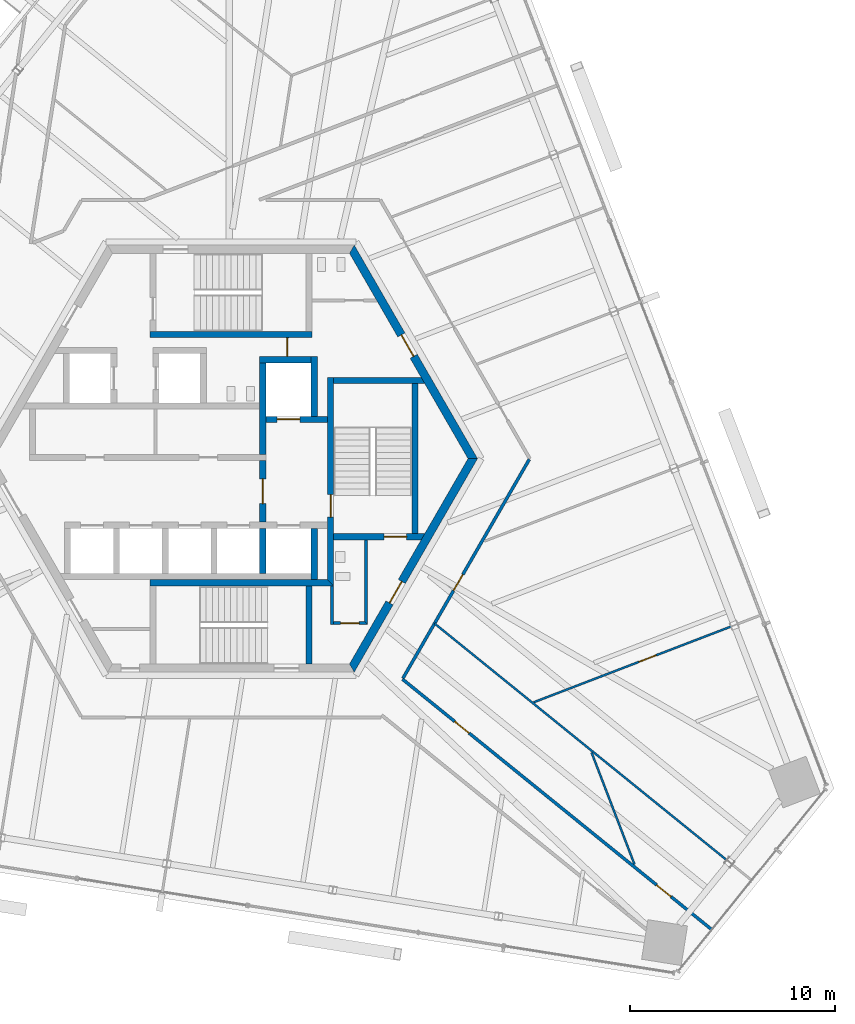
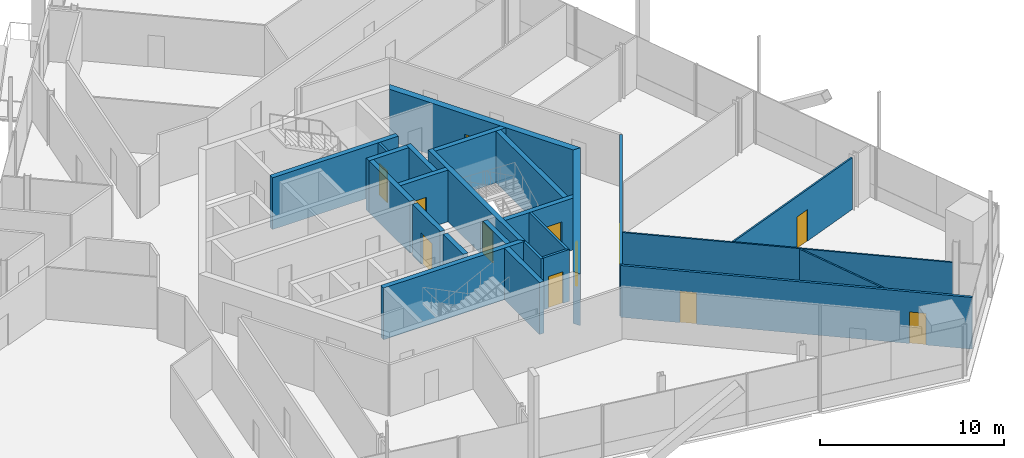
# One storey, part 13 of 21: 25 walls, 12 doors, 12 openings.
"""IFC4 building model written with IfcOpenShell, lengths in metres."""

from ifc_helpers import new_model, si_unit, direction, frame, frame_2d, origin, place, context, subcontext, project, spatial, polyline, rectangle, outline, extrude, source, transform, mapped, material, layer, layer_set, type_object, element, fill, save


model = new_model("IFC4")

# Units and contexts
model_context = context("Model", 3, precision=1e-05, world=origin(), true_north=direction((0.0, 1.0)))
body_context = subcontext(model_context, "Body", "Model", "MODEL_VIEW")
ifc_project = project(units=[si_unit("LENGTHUNIT", "METRE"), si_unit("AREAUNIT", "SQUARE_METRE"), si_unit("VOLUMEUNIT", "CUBIC_METRE"), si_unit("PLANEANGLEUNIT", "RADIAN"), si_unit("MASSUNIT", "GRAM", prefix="KILO")], contexts=[model_context])

# Site, building, storey
site_placement = place(None, origin())
site = spatial("IfcSite", under=ifc_project, at=site_placement, CompositionType="ELEMENT")
building_placement = place(site_placement, origin())
building = spatial("IfcBuilding", under=site, at=building_placement, Name="Triune Harvest Tower", CompositionType="ELEMENT")
storey_placement = place(building_placement, frame((0.0, 0.0, 160.5)))
storey = spatial("IfcBuildingStorey", under=building, at=storey_placement, Name="L41", CompositionType="ELEMENT", Elevation=160.5)

# Wall, opening, door
ifc_material_1 = material(Name="Concrete 70 MPa", Category="concrete")
ifc_layer_1 = layer(ifc_material_1, 0.39990234375)
ifc_layer_set_1 = layer_set([ifc_layer_1], Name="Concrete 70 MPa")
wall_type_1 = type_object("IfcWallType", Name="Core wall 400", PredefinedType="SHEAR", material=ifc_layer_set_1)
shared_shape_1 = source(origin(), body_context, "Body", "SweptSolid", [
    extrude(outline(polyline([(-0.115478515625, -0.199951171875), (11.884521484375, -0.199951171875), (11.653564453125, 0.199951171875), (0.115478515625, 0.199951171875), (-0.115478515625, -0.199951171875)])), origin(), (0.0, 0.0, 1.0), 3.43994140625),
])
wall_1_placement = place(storey_placement, frame((11.76904296875, 0.0, 0.0), z_axis=(0.0, 0.0, 1.0), x_axis=(-0.499996592174, 0.866027371285, 0.0)))
wall_1 = element("IfcWall", 1, at=wall_1_placement, inside=storey, type_object=wall_type_1, Name="Hexagon 0 wall", PredefinedType="SHEAR", context=body_context, shape_type="MappedRepresentation", body=[
    mapped(shared_shape_1, transform((0.0, 0.0, 0.0), scale=1.0)),
])
opening_1_placement = place(wall_1_placement, frame((5.75048828125, 0.0, 0.0)))
opening_1 = element("IfcOpeningElement", 2, at=opening_1_placement, cuts=wall_1, Name="Opening CD-WCP", PredefinedType="OPENING", context=body_context, shape_type="SweptSolid", body=[
    extrude(rectangle(XDim=1.199951171875, YDim=2.10009765625, at=frame_2d((0.60009765625, 1.050048828125))), frame((0.0, 0.2099609375, 0.0), z_axis=(0.0, -1.0, 0.0), x_axis=(1.0, 0.0, 0.0)), (0.0, 0.0, 1.0), 0.419921875),
])
ifc_material_2 = material(Name="Steel S235", Category="steel")
door_type_1 = type_object("IfcDoorType", Name="Lobby door 1200 FD120", OperationType="SINGLE_SWING_LEFT", PredefinedType="DOOR", material=ifc_material_2)
door_1_placement = place(opening_1_placement, frame((1.199951171875, 0.0, 0.0), z_axis=(0.0, 0.0, 1.0), x_axis=(-1.0, 0.0, 0.0)))
door_1 = element("IfcDoor", 3, at=door_1_placement, inside=storey, type_object=door_type_1, Name="Door CD-WCP", OperationType="SINGLE_SWING_RIGHT", OverallHeight=2.10009765625, OverallWidth=1.199951171875, PredefinedType="DOOR", context=body_context, shape_type="SweptSolid", body=[
    extrude(rectangle(XDim=1.199951171875, YDim=2.10009765625, at=frame_2d((0.60009765625, 1.050048828125))), frame((0.0, 0.02490234375, 0.0), z_axis=(0.0, -1.0, 0.0), x_axis=(1.0, 0.0, 0.0)), (0.0, 0.0, 1.0), 0.050048828125),
])
fill(opening_1, door_1)

wall_2_placement = place(storey_placement, frame((5.884521484375, -10.1923828125, 0.0), z_axis=(0.0, 0.0, 1.0), x_axis=(0.499996592174, 0.866027371285, 0.0)))
wall_2 = element("IfcWall", 4, at=wall_2_placement, inside=storey, type_object=wall_type_1, Name="Hexagon 5 wall", PredefinedType="SHEAR", context=body_context, shape_type="MappedRepresentation", body=[
    mapped(shared_shape_1, transform((0.0, 0.0, 0.0), scale=1.0)),
])
opening_2_placement = place(wall_2_placement, frame((3.66455078125, 0.0, 0.0)))
opening_2 = element("IfcOpeningElement", 5, at=opening_2_placement, cuts=wall_2, Name="Opening CD-DP", PredefinedType="OPENING", context=body_context, shape_type="SweptSolid", body=[
    extrude(rectangle(XDim=1.199951171875, YDim=2.10009765625, at=frame_2d((0.60009765625, 1.050048828125))), frame((0.0, 0.2099609375, 0.0), z_axis=(0.0, -1.0, 0.0), x_axis=(1.0, 0.0, 0.0)), (0.0, 0.0, 1.0), 0.419921875),
])
ifc_material_3 = material(Name="Steel S235", Category="steel")
door_type_2 = type_object("IfcDoorType", Name="Stair door 1200 FD120", OperationType="SINGLE_SWING_LEFT", PredefinedType="DOOR", material=ifc_material_3)
door_2_placement = place(opening_2_placement, frame((1.199951171875, 0.0, 0.0), z_axis=(0.0, 0.0, 1.0), x_axis=(-1.0, 0.0, 0.0)))
door_2 = element("IfcDoor", 6, at=door_2_placement, inside=storey, type_object=door_type_2, Name="Door CD-DP", OperationType="SINGLE_SWING_RIGHT", OverallHeight=2.10009765625, OverallWidth=1.199951171875, PredefinedType="DOOR", context=body_context, shape_type="SweptSolid", body=[
    extrude(rectangle(XDim=1.199951171875, YDim=2.10009765625, at=frame_2d((0.60009765625, 1.050048828125))), frame((0.0, 0.02490234375, 0.0), z_axis=(0.0, -1.0, 0.0), x_axis=(1.0, 0.0, 0.0)), (0.0, 0.0, 1.0), 0.050048828125),
])
fill(opening_2, door_2)

# Walls
ifc_material_4 = material(Name="Concrete 70 MPa", Category="concrete")
ifc_layer_2 = layer(ifc_material_4, 0.300048828125)
ifc_layer_set_2 = layer_set([ifc_layer_2], Name="Concrete 70 MPa")
wall_type_2 = type_object("IfcWallType", Name="Core wall 300", PredefinedType="SHEAR", material=ifc_layer_set_2)
shared_shape_2 = source(origin(), body_context, "Body", "SweptSolid", [
    extrude(rectangle(XDim=2.5, YDim=0.300048828125, at=frame_2d((1.25, 0.0))), origin(), (0.0, 0.0, 1.0), 3.43994140625),
])
for number, where, z_axis, x_axis, name in (
    (7, (1.39990234375, 4.81005859375, 0.0), (0.0, 0.0, 1.0), (1.0, 0.0, 0.0), "Ff1 back wall"),
    (8, (4.050048828125, -5.889892578125, 0.0), (0.0, 0.0, 1.0), (0.0, 1.0, 0.0), "Ff2 east wall"),
):
    element("IfcWall", number, at=place(storey_placement, frame(where, z_axis=z_axis, x_axis=x_axis)), inside=storey, type_object=wall_type_2, Name=name, PredefinedType="SHEAR", context=body_context, shape_type="MappedRepresentation", body=[
        mapped(shared_shape_2, transform((0.0, 0.0, 0.0), scale=1.0)),
    ])
shared_shape_3 = source(origin(), body_context, "Body", "SweptSolid", [
    extrude(rectangle(XDim=4.449951171875, YDim=0.300048828125, at=frame_2d((2.22509765625, 0.0))), origin(), (0.0, 0.0, 1.0), 3.43994140625),
])
wall_3_placement = place(storey_placement, frame((1.550048828125, 0.2099609375, 0.0), z_axis=(0.0, 0.0, 1.0), x_axis=(0.0, 1.0, 0.0)))
element("IfcWall", 9, at=wall_3_placement, inside=storey, type_object=wall_type_2, Name="Ff1 west wall", PredefinedType="SHEAR", context=body_context, shape_type="MappedRepresentation", body=[
    mapped(shared_shape_3, transform((0.0, 0.0, 0.0), scale=1.0)),
])

# Wall, opening, door
shared_shape_4 = source(origin(), body_context, "Body", "SweptSolid", [
    extrude(rectangle(XDim=3.0, YDim=0.300048828125, at=frame_2d((1.5, 0.0))), origin(), (0.0, 0.0, 1.0), 3.43994140625),
])
wall_4_placement = place(storey_placement, frame((1.699951171875, 1.909912109375, 0.0), z_axis=(0.0, 0.0, 1.0), x_axis=(1.0, 0.0, 0.0)))
wall_4 = element("IfcWall", 10, at=wall_4_placement, inside=storey, type_object=wall_type_2, Name="Ff1 front wall", PredefinedType="SHEAR", context=body_context, shape_type="MappedRepresentation", body=[
    mapped(shared_shape_4, transform((0.0, 0.0, 0.0), scale=1.0)),
])
opening_3_placement = place(wall_4_placement, frame((0.550048828125, 0.0, 0.0)))
opening_3 = element("IfcOpeningElement", 11, at=opening_3_placement, cuts=wall_4, Name="Opening LD-FF1-41", PredefinedType="OPENING", context=body_context, shape_type="SweptSolid", body=[
    extrude(rectangle(XDim=1.10009765625, YDim=2.10009765625, at=frame_2d((0.550048828125, 1.050048828125))), frame((0.0, 0.16015625, 0.0), z_axis=(0.0, -1.0, 0.0), x_axis=(1.0, 0.0, 0.0)), (0.0, 0.0, 1.0), 0.320068359375),
])
ifc_material_5 = material(Name="Stainless steel AISI 304", Category="steel")
door_type_3 = type_object("IfcDoorType", Name="Landing door 1100 x 2100", OperationType="DOUBLE_DOOR_SLIDING", PredefinedType="DOOR", material=ifc_material_5)
door_3_placement = place(opening_3_placement, origin())
door_3 = element("IfcDoor", 12, at=door_3_placement, inside=storey, type_object=door_type_3, Name="Door LD-FF1-41", OperationType="DOUBLE_DOOR_SLIDING", OverallHeight=2.10009765625, OverallWidth=1.10009765625, PredefinedType="DOOR", context=body_context, shape_type="SweptSolid", body=[
    extrude(rectangle(XDim=1.10009765625, YDim=2.10009765625, at=frame_2d((0.550048828125, 1.050048828125))), frame((0.0, 0.02490234375, 0.0), z_axis=(0.0, -1.0, 0.0), x_axis=(1.0, 0.0, 0.0)), (0.0, 0.0, 1.0), 0.050048828125),
])
fill(opening_3, door_3)

wall_5_placement = place(storey_placement, frame((1.550048828125, -3.090087890625, 0.0), z_axis=(0.0, 0.0, 1.0), x_axis=(0.0, 1.0, 0.0)))
wall_5 = element("IfcWall", 13, at=wall_5_placement, inside=storey, type_object=wall_type_2, Name="Ff lobby west wall", PredefinedType="SHEAR", context=body_context, shape_type="MappedRepresentation", body=[
    mapped(shared_shape_4, transform((0.0, 0.0, 0.0), scale=1.0)),
])
opening_4_placement = place(wall_5_placement, frame((0.89990234375, 0.0, 0.0)))
opening_4 = element("IfcOpeningElement", 14, at=opening_4_placement, cuts=wall_5, Name="Opening CD-FL", PredefinedType="OPENING", context=body_context, shape_type="SweptSolid", body=[
    extrude(rectangle(XDim=1.199951171875, YDim=2.10009765625, at=frame_2d((0.60009765625, 1.050048828125))), frame((0.0, 0.16015625, 0.0), z_axis=(0.0, -1.0, 0.0), x_axis=(1.0, 0.0, 0.0)), (0.0, 0.0, 1.0), 0.320068359375),
])
ifc_material_6 = material(Name="Steel S235", Category="steel")
door_type_4 = type_object("IfcDoorType", Name="Firefighters' lobby door 1200 FD120", OperationType="SINGLE_SWING_LEFT", PredefinedType="DOOR", material=ifc_material_6)
door_4_placement = place(opening_4_placement, frame((1.199951171875, 0.0, 0.0), z_axis=(0.0, 0.0, 1.0), x_axis=(-1.0, 0.0, 0.0)))
door_4 = element("IfcDoor", 15, at=door_4_placement, inside=storey, type_object=door_type_4, Name="Door CD-FL", OperationType="SINGLE_SWING_RIGHT", OverallHeight=2.10009765625, OverallWidth=1.199951171875, PredefinedType="DOOR", context=body_context, shape_type="SweptSolid", body=[
    extrude(rectangle(XDim=1.199951171875, YDim=2.10009765625, at=frame_2d((0.60009765625, 1.050048828125))), frame((0.0, 0.02490234375, 0.0), z_axis=(0.0, -1.0, 0.0), x_axis=(1.0, 0.0, 0.0)), (0.0, 0.0, 1.0), 0.050048828125),
])
fill(opening_4, door_4)

# Walls
shared_shape_5 = source(origin(), body_context, "Body", "SweptSolid", [
    extrude(rectangle(XDim=2.89990234375, YDim=0.300048828125, at=frame_2d((1.449951171875, 0.0))), origin(), (0.0, 0.0, 1.0), 3.43994140625),
])
wall_6_placement = place(storey_placement, frame((4.050048828125, 2.06005859375, 0.0), z_axis=(0.0, 0.0, 1.0), x_axis=(0.0, 1.0, 0.0)))
element("IfcWall", 16, at=wall_6_placement, inside=storey, type_object=wall_type_2, Name="Ff1 east wall", PredefinedType="SHEAR", context=body_context, shape_type="MappedRepresentation", body=[
    mapped(shared_shape_5, transform((0.0, 0.0, 0.0), scale=1.0)),
])
shared_shape_6 = source(origin(), body_context, "Body", "SweptSolid", [
    extrude(rectangle(XDim=2.2001953125, YDim=0.300048828125, at=frame_2d((1.10009765625, 0.0))), origin(), (0.0, 0.0, 1.0), 3.43994140625),
])
wall_7_placement = place(storey_placement, frame((1.550048828125, -5.590087890625, 0.0), z_axis=(0.0, 0.0, 1.0), x_axis=(0.0, 1.0, 0.0)))
element("IfcWall", 17, at=wall_7_placement, inside=storey, type_object=wall_type_2, Name="Ff2 west wall", PredefinedType="SHEAR", context=body_context, shape_type="MappedRepresentation", body=[
    mapped(shared_shape_6, transform((0.0, 0.0, 0.0), scale=1.0)),
])

# Wall, opening, door
shared_shape_7 = source(origin(), body_context, "Body", "SweptSolid", [
    extrude(outline(polyline([(-0.14990234375, -0.14990234375), (9.989990234375, -0.14990234375), (9.989990234375, 0.14990234375), (0.14990234375, 0.14990234375), (-0.14990234375, -0.14990234375)])), origin(), (0.0, 0.0, 1.0), 3.43994140625),
])
wall_8_placement = place(storey_placement, frame((4.85009765625, -6.0400390625, 0.0), z_axis=(0.0, 0.0, 1.0), x_axis=(0.0, 1.0, 0.0)))
wall_8 = element("IfcWall", 18, at=wall_8_placement, inside=storey, type_object=wall_type_2, Name="Stair e west wall", PredefinedType="SHEAR", context=body_context, shape_type="MappedRepresentation", body=[
    mapped(shared_shape_7, transform((0.0, 0.0, 0.0), scale=1.0)),
])
opening_5_placement = place(wall_8_placement, frame((3.18994140625, 0.0, 0.0)))
opening_5 = element("IfcOpeningElement", 19, at=opening_5_placement, cuts=wall_8, Name="Opening CD-S3L", PredefinedType="OPENING", context=body_context, shape_type="SweptSolid", body=[
    extrude(rectangle(XDim=1.10009765625, YDim=2.10009765625, at=frame_2d((0.550048828125, 1.050048828125))), frame((0.0, 0.16015625, 0.0), z_axis=(0.0, -1.0, 0.0), x_axis=(1.0, 0.0, 0.0)), (0.0, 0.0, 1.0), 0.320068359375),
])
ifc_material_7 = material(Name="Steel S235", Category="steel")
door_type_5 = type_object("IfcDoorType", Name="Stair door 1100 FD120", OperationType="SINGLE_SWING_LEFT", PredefinedType="DOOR", material=ifc_material_7)
door_5_placement = place(opening_5_placement, frame((1.10009765625, 0.0, 0.0), z_axis=(0.0, 0.0, 1.0), x_axis=(-1.0, 0.0, 0.0)))
door_5 = element("IfcDoor", 20, at=door_5_placement, inside=storey, type_object=door_type_5, Name="Door CD-S3L", OperationType="SINGLE_SWING_RIGHT", OverallHeight=2.10009765625, OverallWidth=1.10009765625, PredefinedType="DOOR", context=body_context, shape_type="SweptSolid", body=[
    extrude(rectangle(XDim=1.10009765625, YDim=2.10009765625, at=frame_2d((0.550048828125, 1.050048828125))), frame((0.0, 0.02490234375, 0.0), z_axis=(0.0, -1.0, 0.0), x_axis=(1.0, 0.0, 0.0)), (0.0, 0.0, 1.0), 0.050048828125),
])
fill(opening_5, door_5)

# Wall
shared_shape_8 = source(origin(), body_context, "Body", "SweptSolid", [
    extrude(outline(polyline([(0.0, -0.14990234375), (0.0, 0.14990234375), (4.260009765625, 0.14990234375), (4.43310546875, -0.14990234375), (0.0, -0.14990234375)])), origin(), (0.0, 0.0, 1.0), 3.43994140625),
])
wall_9_placement = place(storey_placement, frame((5.0, 3.800048828125, 0.0), z_axis=(0.0, 0.0, 1.0), x_axis=(1.0, 0.0, 0.0)))
element("IfcWall", 21, at=wall_9_placement, inside=storey, type_object=wall_type_2, Name="Stair e north wall", PredefinedType="SHEAR", context=body_context, shape_type="MappedRepresentation", body=[
    mapped(shared_shape_8, transform((0.0, 0.0, 0.0), scale=1.0)),
])

# Wall, opening, door
shared_shape_9 = source(origin(), body_context, "Body", "SweptSolid", [
    extrude(outline(polyline([(0.0, -0.14990234375), (0.0, 0.14990234375), (4.43310546875, 0.14990234375), (4.260009765625, -0.14990234375), (0.0, -0.14990234375)])), origin(), (0.0, 0.0, 1.0), 3.43994140625),
])
wall_10_placement = place(storey_placement, frame((5.0, -3.800048828125, 0.0), z_axis=(0.0, 0.0, 1.0), x_axis=(1.0, 0.0, 0.0)))
wall_10 = element("IfcWall", 22, at=wall_10_placement, inside=storey, type_object=wall_type_2, Name="Stair e south wall", PredefinedType="SHEAR", context=body_context, shape_type="MappedRepresentation", body=[
    mapped(shared_shape_9, transform((0.0, 0.0, 0.0), scale=1.0)),
])
opening_6_placement = place(wall_10_placement, frame((2.449951171875, 0.0, 0.0)))
opening_6 = element("IfcOpeningElement", 23, at=opening_6_placement, cuts=wall_10, Name="Opening CD-S3D", PredefinedType="OPENING", context=body_context, shape_type="SweptSolid", body=[
    extrude(rectangle(XDim=1.10009765625, YDim=2.10009765625, at=frame_2d((0.550048828125, 1.050048828125))), frame((0.0, 0.16015625, 0.0), z_axis=(0.0, -1.0, 0.0), x_axis=(1.0, 0.0, 0.0)), (0.0, 0.0, 1.0), 0.320068359375),
])
door_6_placement = place(opening_6_placement, frame((1.10009765625, 0.0, 0.0), z_axis=(0.0, 0.0, 1.0), x_axis=(-1.0, 0.0, 0.0)))
door_6 = element("IfcDoor", 24, at=door_6_placement, inside=storey, type_object=door_type_5, Name="Door CD-S3D", OperationType="SINGLE_SWING_RIGHT", OverallHeight=2.10009765625, OverallWidth=1.10009765625, PredefinedType="DOOR", context=body_context, shape_type="SweptSolid", body=[
    extrude(rectangle(XDim=1.10009765625, YDim=2.10009765625, at=frame_2d((0.550048828125, 1.050048828125))), frame((0.0, 0.02490234375, 0.0), z_axis=(0.0, -1.0, 0.0), x_axis=(1.0, 0.0, 0.0)), (0.0, 0.0, 1.0), 0.050048828125),
])
fill(opening_6, door_6)

# Walls
shared_shape_10 = source(origin(), body_context, "Body", "SweptSolid", [
    extrude(rectangle(XDim=7.2998046875, YDim=0.300048828125, at=frame_2d((3.64990234375, 0.0))), origin(), (0.0, 0.0, 1.0), 3.43994140625),
])
wall_11_placement = place(storey_placement, frame((8.949951171875, -3.64990234375, 0.0), z_axis=(0.0, 0.0, 1.0), x_axis=(0.0, 1.0, 0.0)))
element("IfcWall", 25, at=wall_11_placement, inside=storey, type_object=wall_type_2, Name="Stair e east wall", PredefinedType="SHEAR", context=body_context, shape_type="MappedRepresentation", body=[
    mapped(shared_shape_10, transform((0.0, 0.0, 0.0), scale=1.0)),
])
shared_shape_11 = source(origin(), body_context, "Body", "SweptSolid", [
    extrude(rectangle(XDim=7.89990234375, YDim=0.300048828125, at=frame_2d((3.949951171875, 0.0))), origin(), (0.0, 0.0, 1.0), 3.43994140625),
])
wall_12_placement = place(storey_placement, frame((-3.949951171875, 6.0400390625, 0.0), z_axis=(0.0, 0.0, 1.0), x_axis=(1.0, 0.0, 0.0)))
element("IfcWall", 26, at=wall_12_placement, inside=storey, type_object=wall_type_2, Name="Stair n south wall", PredefinedType="SHEAR", context=body_context, shape_type="MappedRepresentation", body=[
    mapped(shared_shape_11, transform((0.0, 0.0, 0.0), scale=1.0)),
])
shared_shape_12 = source(origin(), body_context, "Body", "SweptSolid", [
    extrude(outline(polyline([(0.0, -0.14990234375), (8.949951171875, -0.14990234375), (8.64990234375, 0.14990234375), (0.0, 0.14990234375), (0.0, -0.14990234375)])), origin(), (0.0, 0.0, 1.0), 3.43994140625),
])
wall_13_placement = place(storey_placement, frame((-3.949951171875, -6.0400390625, 0.0), z_axis=(0.0, 0.0, 1.0), x_axis=(1.0, 0.0, 0.0)))
element("IfcWall", 27, at=wall_13_placement, inside=storey, type_object=wall_type_2, Name="Stair s north wall", PredefinedType="SHEAR", context=body_context, shape_type="MappedRepresentation", body=[
    mapped(shared_shape_12, transform((0.0, 0.0, 0.0), scale=1.0)),
])
shared_shape_13 = source(origin(), body_context, "Body", "SweptSolid", [
    extrude(outline(polyline([(3.800048828125, -0.14990234375), (-0.00439453125, -0.14990234375), (-0.00439453125, 0.14990234375), (3.800048828125, 0.14990234375), (3.800048828125, -0.14990234375)])), origin(), (0.0, 0.0, 1.0), 3.43994140625),
])
wall_14_placement = place(storey_placement, frame((3.800048828125, -9.989990234375, 0.0), z_axis=(0.0, 0.0, 1.0), x_axis=(0.0, 1.0, 0.0)))
element("IfcWall", 28, at=wall_14_placement, inside=storey, type_object=wall_type_2, Name="Stair s east wall", PredefinedType="SHEAR", context=body_context, shape_type="MappedRepresentation", body=[
    mapped(shared_shape_13, transform((0.0, 0.0, 0.0), scale=1.0)),
])

# Wall, opening, door
ifc_material_8 = material(Name="Concrete masonry unit", Category="masonry")
ifc_layer_3 = layer(ifc_material_8, 0.14990234375)
ifc_layer_set_3 = layer_set([ifc_layer_3], Name="Concrete masonry unit")
wall_type_3 = type_object("IfcWallType", Name="Block partition 150 unrated", PredefinedType="PARTITIONING", material=ifc_layer_set_3)
shared_shape_14 = source(origin(), body_context, "Body", "SweptSolid", [
    extrude(outline(polyline([(0.0, -0.074951171875), (1.64990234375, -0.074951171875), (1.5, 0.074951171875), (0.0, 0.074951171875), (0.0, -0.074951171875)])), origin(), (0.0, 0.0, 1.0), 3.43994140625),
])
wall_15_placement = place(storey_placement, frame((5.0, -8.0, 0.0), z_axis=(0.0, 0.0, 1.0), x_axis=(1.0, 0.0, 0.0)))
wall_15 = element("IfcWall", 29, at=wall_15_placement, inside=storey, type_object=wall_type_3, Name="Wc acc south wall", PredefinedType="PARTITIONING", context=body_context, shape_type="MappedRepresentation", body=[
    mapped(shared_shape_14, transform((0.0, 0.0, 0.0), scale=1.0)),
])
opening_7_placement = place(wall_15_placement, frame((0.33740234375, 0.0, 0.0)))
opening_7 = element("IfcOpeningElement", 30, at=opening_7_placement, cuts=wall_15, Name="Opening CD-WA", PredefinedType="OPENING", context=body_context, shape_type="SweptSolid", body=[
    extrude(rectangle(XDim=0.89990234375, YDim=2.10009765625, at=frame_2d((0.449951171875, 1.050048828125))), frame((0.0, 0.0849609375, 0.0), z_axis=(0.0, -1.0, 0.0), x_axis=(1.0, 0.0, 0.0)), (0.0, 0.0, 1.0), 0.169921875),
])
ifc_material_9 = material(Name="Timber C24", Category="wood")
door_type_6 = type_object("IfcDoorType", Name="WC door 900", OperationType="SINGLE_SWING_LEFT", PredefinedType="DOOR", material=ifc_material_9)
door_7_placement = place(opening_7_placement, origin())
door_7 = element("IfcDoor", 31, at=door_7_placement, inside=storey, type_object=door_type_6, Name="Door CD-WA", OperationType="SINGLE_SWING_LEFT", OverallHeight=2.10009765625, OverallWidth=0.89990234375, PredefinedType="DOOR", context=body_context, shape_type="SweptSolid", body=[
    extrude(rectangle(XDim=0.89990234375, YDim=2.10009765625, at=frame_2d((0.449951171875, 1.050048828125))), frame((0.0, 0.02490234375, 0.0), z_axis=(0.0, -1.0, 0.0), x_axis=(1.0, 0.0, 0.0)), (0.0, 0.0, 1.0), 0.050048828125),
])
fill(opening_7, door_7)

# Walls
shared_shape_15 = source(origin(), body_context, "Body", "SweptSolid", [
    extrude(outline(polyline([(-0.074951171875, -0.074951171875), (4.050048828125, -0.074951171875), (4.050048828125, 0.074951171875), (0.074951171875, 0.074951171875), (-0.074951171875, -0.074951171875)])), origin(), (0.0, 0.0, 1.0), 3.43994140625),
])
wall_16_placement = place(storey_placement, frame((6.574951171875, -8.0, 0.0), z_axis=(0.0, 0.0, 1.0), x_axis=(0.0, 1.0, 0.0)))
element("IfcWall", 32, at=wall_16_placement, inside=storey, type_object=wall_type_3, Name="Wc acc east wall", PredefinedType="PARTITIONING", context=body_context, shape_type="MappedRepresentation", body=[
    mapped(shared_shape_15, transform((0.0, 0.0, 0.0), scale=1.0)),
])
shared_shape_16 = source(origin(), body_context, "Body", "SweptSolid", [
    extrude(rectangle(XDim=1.885009765625, YDim=0.14990234375, at=frame_2d((0.9423828125, 0.0))), origin(), (0.0, 0.0, 1.0), 3.43994140625),
])
wall_17_placement = place(storey_placement, frame((4.925048828125, -8.074951171875, 0.0), z_axis=(0.0, 0.0, 1.0), x_axis=(0.0, 1.0, 0.0)))
element("IfcWall", 33, at=wall_17_placement, inside=storey, type_object=wall_type_3, Name="Wc acc west wall", PredefinedType="PARTITIONING", context=body_context, shape_type="MappedRepresentation", body=[
    mapped(shared_shape_16, transform((0.0, 0.0, 0.0), scale=1.0)),
])

# Wall, opening, door
shared_shape_17 = source(origin(), body_context, "Body", "SweptSolid", [
    extrude(rectangle(XDim=0.929931640625, YDim=0.14990234375, at=frame_2d((0.46484375, 0.0))), origin(), (0.0, 0.0, 1.0), 3.43994140625),
])
wall_18_placement = place(storey_placement, frame((2.75, 4.9599609375, 0.0), z_axis=(0.0, 0.0, 1.0), x_axis=(0.0, 1.0, 0.0)))
wall_18 = element("IfcWall", 34, at=wall_18_placement, inside=storey, type_object=wall_type_3, Name="Wc men east b wall", PredefinedType="PARTITIONING", context=body_context, shape_type="MappedRepresentation", body=[
    mapped(shared_shape_17, transform((0.0, 0.0, 0.0), scale=1.0)),
])
opening_8_placement = place(wall_18_placement, frame((0.014892578125, 0.0, 0.0)))
opening_8 = element("IfcOpeningElement", 35, at=opening_8_placement, cuts=wall_18, Name="Opening CD-WM", PredefinedType="OPENING", context=body_context, shape_type="SweptSolid", body=[
    extrude(rectangle(XDim=0.89990234375, YDim=2.10009765625, at=frame_2d((0.449951171875, 1.050048828125))), frame((0.0, 0.0849609375, 0.0), z_axis=(0.0, -1.0, 0.0), x_axis=(1.0, 0.0, 0.0)), (0.0, 0.0, 1.0), 0.169921875),
])
door_8_placement = place(opening_8_placement, origin())
door_8 = element("IfcDoor", 36, at=door_8_placement, inside=storey, type_object=door_type_6, Name="Door CD-WM", OperationType="SINGLE_SWING_LEFT", OverallHeight=2.10009765625, OverallWidth=0.89990234375, PredefinedType="DOOR", context=body_context, shape_type="SweptSolid", body=[
    extrude(rectangle(XDim=0.89990234375, YDim=2.10009765625, at=frame_2d((0.449951171875, 1.050048828125))), frame((0.0, 0.02490234375, 0.0), z_axis=(0.0, -1.0, 0.0), x_axis=(1.0, 0.0, 0.0)), (0.0, 0.0, 1.0), 0.050048828125),
])
fill(opening_8, door_8)

# Wall
ifc_material_10 = material(Name="Gypsum board on steel studs", Category="steel")
ifc_layer_4 = layer(ifc_material_10, 0.10009765625)
ifc_layer_set_4 = layer_set([ifc_layer_4], Name="Gypsum board on steel studs")
wall_type_4 = type_object("IfcWallType", Name="Partition 100 mm", PredefinedType="PARTITIONING", material=ifc_layer_set_4)
shared_shape_18 = source(origin(), body_context, "Body", "SweptSolid", [
    extrude(rectangle(XDim=5.835205078125, YDim=0.10009765625, at=frame_2d((2.91748046875, 0.0))), origin(), (0.0, 0.0, 1.0), 3.43994140625),
])
wall_19_placement = place(storey_placement, frame((17.548828125, -14.30078125, 0.0), z_axis=(0.0, 0.0, 1.0), x_axis=(0.358348182367, -0.933588014166, 0.0)))
element("IfcWall", 37, at=wall_19_placement, inside=storey, type_object=wall_type_4, Name="Partition L41 001", PredefinedType="PARTITIONING", context=body_context, shape_type="MappedRepresentation", body=[
    mapped(shared_shape_18, transform((0.0, 0.0, 0.0), scale=1.0)),
])

# Wall, openings, doors
ifc_material_11 = material(Name="Gypsum board on steel studs", Category="steel")
ifc_layer_5 = layer(ifc_material_11, 0.14990234375)
ifc_layer_set_5 = layer_set([ifc_layer_5], Name="Gypsum board on steel studs")
wall_type_5 = type_object("IfcWallType", Name="Fire Partition 150 mm", PredefinedType="PARTITIONING", material=ifc_layer_set_5)
shared_shape_19 = source(origin(), body_context, "Body", "SweptSolid", [
    extrude(rectangle(XDim=19.370361328125, YDim=0.14990234375, at=frame_2d((9.68505859375, 0.0))), origin(), (0.0, 0.0, 1.0), 3.43994140625),
])
wall_20_placement = place(storey_placement, frame((8.344970703125, -10.730712890625, 0.0), z_axis=(0.0, 0.0, 1.0), x_axis=(0.777147708914, -0.629318233114, 0.0)))
wall_20 = element("IfcWall", 38, at=wall_20_placement, inside=storey, type_object=wall_type_5, Name="Partition L41 010", PredefinedType="PARTITIONING", context=body_context, shape_type="MappedRepresentation", body=[
    mapped(shared_shape_19, transform((0.0, 0.0, 0.0), scale=1.0)),
])
opening_9_placement = place(wall_20_placement, frame((3.273681640625, 0.0, 0.0)))
opening_9 = element("IfcOpeningElement", 39, at=opening_9_placement, cuts=wall_20, Name="Opening L41-019", PredefinedType="OPENING", context=body_context, shape_type="SweptSolid", body=[
    extrude(rectangle(XDim=0.89990234375, YDim=2.10009765625, at=frame_2d((0.449951171875, 1.050048828125))), frame((0.0, 0.0849609375, 0.0), z_axis=(0.0, -1.0, 0.0), x_axis=(1.0, 0.0, 0.0)), (0.0, 0.0, 1.0), 0.169921875),
])
opening_10_placement = place(wall_20_placement, frame((15.920654296875, 0.0, 0.0)))
opening_10 = element("IfcOpeningElement", 40, at=opening_10_placement, cuts=wall_20, Name="Opening L41-020", PredefinedType="OPENING", context=body_context, shape_type="SweptSolid", body=[
    extrude(rectangle(XDim=0.89990234375, YDim=2.10009765625, at=frame_2d((0.449951171875, 1.050048828125))), frame((0.0, 0.0849609375, 0.0), z_axis=(0.0, -1.0, 0.0), x_axis=(1.0, 0.0, 0.0)), (0.0, 0.0, 1.0), 0.169921875),
])
ifc_material_12 = material(Name="Timber and steel door set", Category="steel")
door_type_7 = type_object("IfcDoorType", Name="Single leaf door FD30 left hand 900 x 2100", OperationType="SINGLE_SWING_LEFT", PredefinedType="DOOR", material=ifc_material_12)
door_9_placement = place(opening_9_placement, origin())
door_9 = element("IfcDoor", 41, at=door_9_placement, inside=storey, type_object=door_type_7, Name="Door L41-019 Dry Store Room 41.19", OperationType="SINGLE_SWING_LEFT", OverallHeight=2.10009765625, OverallWidth=0.89990234375, PredefinedType="DOOR", context=body_context, shape_type="SweptSolid", body=[
    extrude(rectangle(XDim=0.89990234375, YDim=2.10009765625, at=frame_2d((0.449951171875, 1.050048828125))), frame((0.0, 0.02490234375, 0.0), z_axis=(0.0, -1.0, 0.0), x_axis=(1.0, 0.0, 0.0)), (0.0, 0.0, 1.0), 0.050048828125),
])
fill(opening_9, door_9)
ifc_material_13 = material(Name="Timber and steel door set", Category="steel")
door_type_8 = type_object("IfcDoorType", Name="Single leaf door FD30 right hand 900 x 2100", OperationType="SINGLE_SWING_RIGHT", PredefinedType="DOOR", material=ifc_material_13)
door_10_placement = place(opening_10_placement, origin())
door_10 = element("IfcDoor", 42, at=door_10_placement, inside=storey, type_object=door_type_8, Name="Door L41-020 Meeting Room 41.20", OperationType="SINGLE_SWING_RIGHT", OverallHeight=2.10009765625, OverallWidth=0.89990234375, PredefinedType="DOOR", context=body_context, shape_type="SweptSolid", body=[
    extrude(rectangle(XDim=0.89990234375, YDim=2.10009765625, at=frame_2d((0.449951171875, 1.050048828125))), frame((0.0, 0.02490234375, 0.0), z_axis=(0.0, -1.0, 0.0), x_axis=(1.0, 0.0, 0.0)), (0.0, 0.0, 1.0), 0.050048828125),
])
fill(opening_10, door_10)

# Wall
shared_shape_20 = source(origin(), body_context, "Body", "SweptSolid", [
    extrude(rectangle(XDim=18.29443359375, YDim=0.10009765625, at=frame_2d((9.147216796875, 0.0))), origin(), (0.0, 0.0, 1.0), 3.43994140625),
])
wall_21_placement = place(storey_placement, frame((9.907958984375, -8.0234375, 0.0), z_axis=(0.0, 0.0, 1.0), x_axis=(0.777151007725, -0.629314159377, 0.0)))
element("IfcWall", 43, at=wall_21_placement, inside=storey, type_object=wall_type_4, Name="Partition L41 013", PredefinedType="PARTITIONING", context=body_context, shape_type="MappedRepresentation", body=[
    mapped(shared_shape_20, transform((0.0, 0.0, 0.0), scale=1.0)),
])

# Wall, opening, door
shared_shape_21 = source(origin(), body_context, "Body", "SweptSolid", [
    extrude(rectangle(XDim=10.275634765625, YDim=0.10009765625, at=frame_2d((5.1376953125, 0.0))), origin(), (0.0, 0.0, 1.0), 3.43994140625),
])
wall_22_placement = place(storey_placement, frame((14.7373046875, -11.856201171875, 0.0), z_axis=(0.0, 0.0, 1.0), x_axis=(0.933573824893, 0.358385146838, 0.0)))
wall_22 = element("IfcWall", 44, at=wall_22_placement, inside=storey, type_object=wall_type_4, Name="Partition L41 022", PredefinedType="PARTITIONING", context=body_context, shape_type="MappedRepresentation", body=[
    mapped(shared_shape_21, transform((0.0, 0.0, 0.0), scale=1.0)),
])
opening_11_placement = place(wall_22_placement, frame((5.47998046875, 0.0, 0.0)))
opening_11 = element("IfcOpeningElement", 45, at=opening_11_placement, cuts=wall_22, Name="Opening L41-021", PredefinedType="OPENING", context=body_context, shape_type="SweptSolid", body=[
    extrude(rectangle(XDim=0.89990234375, YDim=2.10009765625, at=frame_2d((0.449951171875, 1.050048828125))), frame((0.0, 0.06005859375, 0.0), z_axis=(0.0, -1.0, 0.0), x_axis=(1.0, 0.0, 0.0)), (0.0, 0.0, 1.0), 0.1201171875),
])
ifc_material_14 = material(Name="Timber and steel door set", Category="steel")
door_type_9 = type_object("IfcDoorType", Name="Single leaf door left hand 900 x 2100", OperationType="SINGLE_SWING_LEFT", PredefinedType="DOOR", material=ifc_material_14)
door_11_placement = place(opening_11_placement, origin())
door_11 = element("IfcDoor", 46, at=door_11_placement, inside=storey, type_object=door_type_9, Name="Door L41-021 Pantry 41.21", OperationType="SINGLE_SWING_LEFT", OverallHeight=2.10009765625, OverallWidth=0.89990234375, PredefinedType="DOOR", context=body_context, shape_type="SweptSolid", body=[
    extrude(rectangle(XDim=0.89990234375, YDim=2.10009765625, at=frame_2d((0.449951171875, 1.050048828125))), frame((0.0, 0.02490234375, 0.0), z_axis=(0.0, -1.0, 0.0), x_axis=(1.0, 0.0, 0.0)), (0.0, 0.0, 1.0), 0.050048828125),
])
fill(opening_11, door_11)

shared_shape_22 = source(origin(), body_context, "Body", "SweptSolid", [
    extrude(rectangle(XDim=12.300537109375, YDim=0.14990234375, at=frame_2d((6.150390625, 0.0))), origin(), (0.0, 0.0, 1.0), 3.43994140625),
])
wall_23_placement = place(storey_placement, frame((8.3701171875, -10.687255859375, 0.0), z_axis=(0.0, 0.0, 1.0), x_axis=(0.499992195297, 0.866029909785, 0.0)))
wall_23 = element("IfcWall", 47, at=wall_23_placement, inside=storey, type_object=wall_type_5, Name="Partition L41 042", PredefinedType="PARTITIONING", context=body_context, shape_type="MappedRepresentation", body=[
    mapped(shared_shape_22, transform((0.0, 0.0, 0.0), scale=1.0)),
])
opening_12_placement = place(wall_23_placement, frame((4.926025390625, 0.0, 0.0)))
opening_12 = element("IfcOpeningElement", 48, at=opening_12_placement, cuts=wall_23, Name="Opening L41-001", PredefinedType="OPENING", context=body_context, shape_type="SweptSolid", body=[
    extrude(rectangle(XDim=0.89990234375, YDim=2.10009765625, at=frame_2d((0.449951171875, 1.050048828125))), frame((0.0, 0.0849609375, 0.0), z_axis=(0.0, -1.0, 0.0), x_axis=(1.0, 0.0, 0.0)), (0.0, 0.0, 1.0), 0.169921875),
])
door_12_placement = place(opening_12_placement, origin())
door_12 = element("IfcDoor", 49, at=door_12_placement, inside=storey, type_object=door_type_8, Name="Door L41-001 Office 41.01", OperationType="SINGLE_SWING_RIGHT", OverallHeight=2.10009765625, OverallWidth=0.89990234375, PredefinedType="DOOR", context=body_context, shape_type="SweptSolid", body=[
    extrude(rectangle(XDim=0.89990234375, YDim=2.10009765625, at=frame_2d((0.449951171875, 1.050048828125))), frame((0.0, 0.02490234375, 0.0), z_axis=(0.0, -1.0, 0.0), x_axis=(1.0, 0.0, 0.0)), (0.0, 0.0, 1.0), 0.050048828125),
])
fill(opening_12, door_12)

save(model, "model.ifc")
